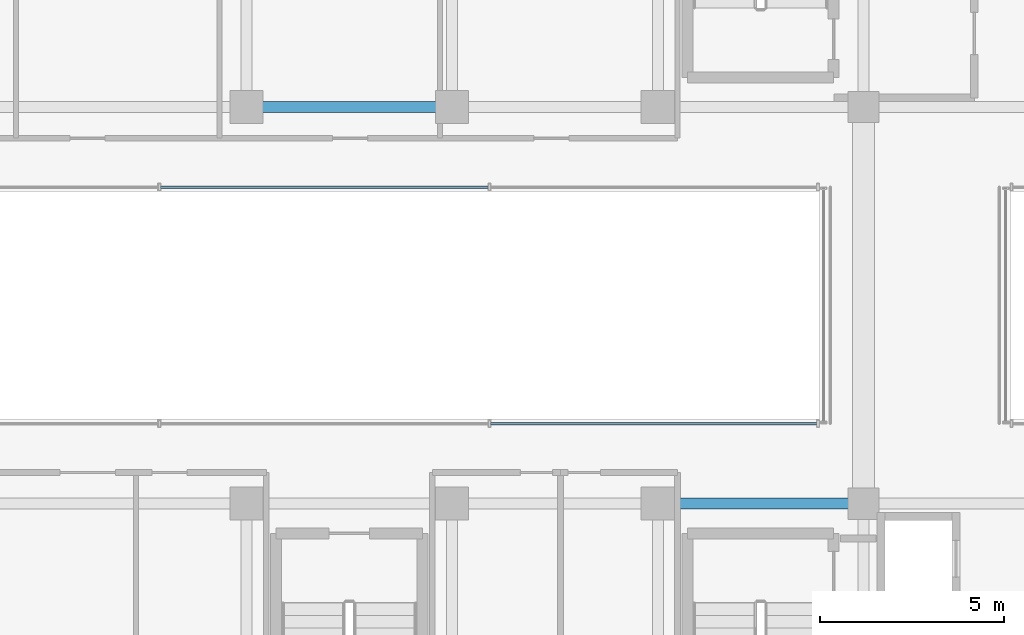
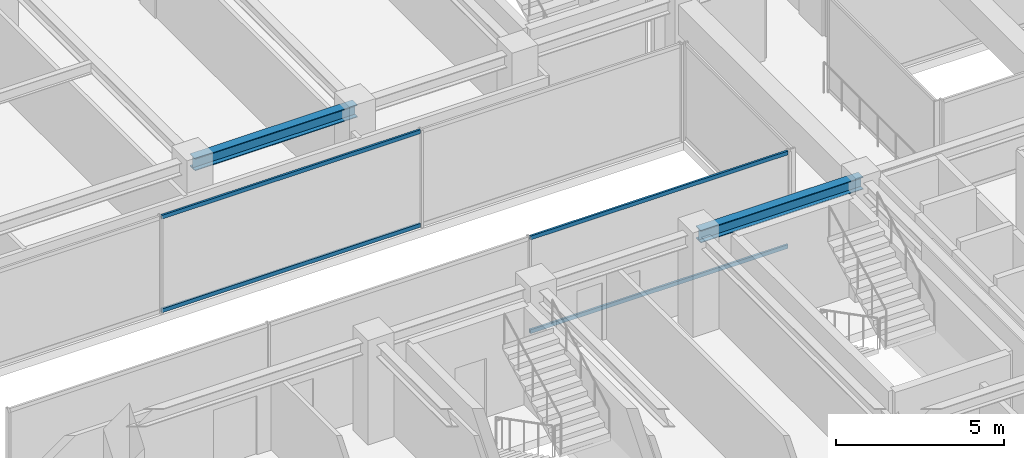
# One storey, part 12 of 37: 4 members, 2 beams, 2 elements without a shape of their own.
"""IFC4 building model written with IfcOpenShell, lengths in metres."""

from ifc_helpers import new_model, si_unit, direction, frame, origin, origin_2d, place, context, subcontext, project, spatial, hollow_rectangle, i_section, extrude, source, transform, mapped, material, material_profile, profile_set, type_object, element, aggregate, save


model = new_model("IFC4")

# Units and contexts
model_context = context("Model", 3, precision=1e-05, world=origin(), true_north=direction((0.0, 1.0)))
body_context = subcontext(model_context, "Body", "Model", "MODEL_VIEW")
ifc_project = project(units=[si_unit("LENGTHUNIT", "METRE"), si_unit("AREAUNIT", "SQUARE_METRE"), si_unit("VOLUMEUNIT", "CUBIC_METRE"), si_unit("PLANEANGLEUNIT", "RADIAN"), si_unit("MASSUNIT", "GRAM", prefix="KILO")], contexts=[model_context])

# Site, building, storey
site_placement = place(None, origin())
site = spatial("IfcSite", under=ifc_project, at=site_placement, CompositionType="ELEMENT")
building_placement = place(site_placement, origin())
building = spatial("IfcBuilding", under=site, at=building_placement, Name="Nahalor Promenade Grand Hotel", CompositionType="ELEMENT")
storey_placement = place(building_placement, frame((0.0, 0.0, 292.64990234375)))
storey = spatial("IfcBuildingStorey", under=building, at=storey_placement, Name="L75", CompositionType="ELEMENT", Elevation=292.64990234375)

# Beams
ifc_material_1 = material(Name="Steel S355JR", Category="steel")
ifc_material_profile_1 = material_profile(ifc_material_1, i_section(OverallWidth=0.3, OverallDepth=0.45, WebThickness=0.014, FlangeThickness=0.026, at=origin_2d()), Name="HEB 450")
ifc_profile_set_1 = profile_set([ifc_material_profile_1], Name="Steel S355JR")
beam_type = type_object("IfcBeamType", Name="Beam-Girder-HEB450", PredefinedType="BEAM", material=ifc_profile_set_1)
shared_shape_1 = source(origin(), body_context, "Body", "SweptSolid", [
    extrude(i_section(OverallWidth=0.3, OverallDepth=0.45, WebThickness=0.014, FlangeThickness=0.026, at=origin_2d()), origin(), (0.0, 0.0, 1.0), 5.599853515625),
])
for number, where, z_axis, x_axis, name in (
    (1, (2.800048828125, -5.39990234375, 3.3251953125), (1.0, 0.0, 0.0), (0.0, 1.0, 0.0), "BM-L75-GX-1-4"),
    (2, (-8.39990234375, 5.39990234375, 3.3251953125), (1.0, 0.0, 0.0), (0.0, 1.0, 0.0), "BM-L75-GX-2-2"),
):
    element("IfcBeam", number, at=place(storey_placement, frame(where, z_axis=z_axis, x_axis=x_axis)), inside=storey, type_object=beam_type, Name=name, PredefinedType="BEAM", context=body_context, shape_type="MappedRepresentation", body=[
        mapped(shared_shape_1, transform((0.0, 0.0, 0.0), scale=1.0)),
    ])

# Curtain wall, members
ifc_material_2 = material(Name="Anodised Bronze Aluminium EN AW-6063 T6", Category="aluminium")
curtain_wall_type = type_object("IfcCurtainWallType", Name="CW3 Elliptical-Void Collar Unitised Curtain Wall", PredefinedType="USERDEFINED", material=ifc_material_2)
curtain_wall_1_placement = place(storey_placement, origin())
curtain_wall_1 = element("IfcCurtainWall", 3, at=curtain_wall_1_placement, inside=storey, type_object=curtain_wall_type, Name="L75 Curtain Wall CW-L75-VOID-WS1", ObjectType="UNITISED_CURTAIN_WALL", PredefinedType="USERDEFINED")
ifc_material_profile_2 = material_profile(ifc_material_2, hollow_rectangle(XDim=0.07, YDim=0.14, WallThickness=0.004, at=origin_2d()), Name="CWT 70x140x4")
ifc_profile_set_2 = profile_set([ifc_material_profile_2], Name="Anodised Bronze Aluminium EN AW-6063 T6")
member_type = type_object("IfcMemberType", Name="CWT3 Void Collar Transom 70x140", PredefinedType="USERDEFINED", material=ifc_profile_set_2)
shared_shape_2 = source(origin(), body_context, "Body", "SweptSolid", [
    extrude(hollow_rectangle(XDim=0.07, YDim=0.14, WallThickness=0.004, at=origin_2d()), origin(), (0.0, 0.0, 1.0), 8.881591796875),
])
member_1_placement = place(storey_placement, frame((-1.751708984375, -3.219970703125, 0.070068359375), z_axis=(1.0, 0.0, 0.0), x_axis=(0.0, 1.0, 0.0)))
member_1 = element("IfcMember", 4, at=member_1_placement, type_object=member_type, Name="CW-L75-VOID-WS1 Transom 2-0", ObjectType="TRANSOM", PredefinedType="USERDEFINED", context=body_context, shape_type="MappedRepresentation", body=[
    mapped(shared_shape_2, transform((0.0, 0.0, 0.0), scale=1.0)),
])
member_2_placement = place(storey_placement, frame((-1.751708984375, -3.219970703125, 3.47998046875), z_axis=(1.0, 0.0, 0.0), x_axis=(0.0, 1.0, 0.0)))
member_2 = element("IfcMember", 5, at=member_2_placement, type_object=member_type, Name="CW-L75-VOID-WS1 Transom 2-1", ObjectType="TRANSOM", PredefinedType="USERDEFINED", context=body_context, shape_type="MappedRepresentation", body=[
    mapped(shared_shape_2, transform((0.0, 0.0, 0.0), scale=1.0)),
])
aggregate(curtain_wall_1, [member_1, member_2])

curtain_wall_2_placement = place(storey_placement, origin())
curtain_wall_2 = element("IfcCurtainWall", 6, at=curtain_wall_2_placement, inside=storey, type_object=curtain_wall_type, Name="L75 Curtain Wall CW-L75-VOID-WN1", ObjectType="UNITISED_CURTAIN_WALL", PredefinedType="USERDEFINED")
shared_shape_3 = source(origin(), body_context, "Body", "SweptSolid", [
    extrude(hollow_rectangle(XDim=0.07, YDim=0.14, WallThickness=0.004, at=origin_2d()), origin(), (0.0, 0.0, 1.0), 8.91650390625),
])
member_3_placement = place(storey_placement, frame((-10.73828125, 3.219970703125, 0.070068359375), z_axis=(1.0, 0.0, 0.0), x_axis=(0.0, 1.0, 0.0)))
member_3 = element("IfcMember", 7, at=member_3_placement, type_object=member_type, Name="CW-L75-VOID-WN1 Transom 1-0", ObjectType="TRANSOM", PredefinedType="USERDEFINED", context=body_context, shape_type="MappedRepresentation", body=[
    mapped(shared_shape_3, transform((0.0, 0.0, 0.0), scale=1.0)),
])
member_4_placement = place(storey_placement, frame((-10.73828125, 3.219970703125, 3.47998046875), z_axis=(1.0, 0.0, 0.0), x_axis=(0.0, 1.0, 0.0)))
member_4 = element("IfcMember", 8, at=member_4_placement, type_object=member_type, Name="CW-L75-VOID-WN1 Transom 1-1", ObjectType="TRANSOM", PredefinedType="USERDEFINED", context=body_context, shape_type="MappedRepresentation", body=[
    mapped(shared_shape_3, transform((0.0, 0.0, 0.0), scale=1.0)),
])
aggregate(curtain_wall_2, [member_3, member_4])

save(model, "model.ifc")
